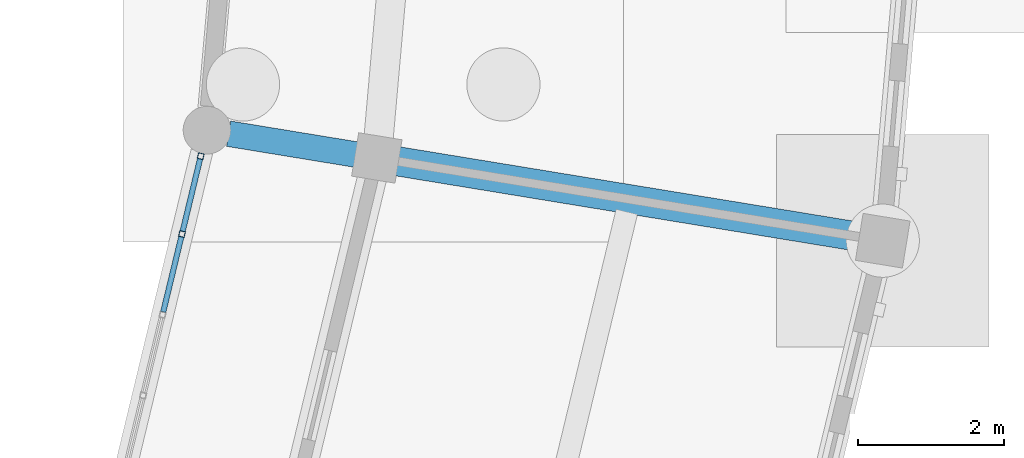
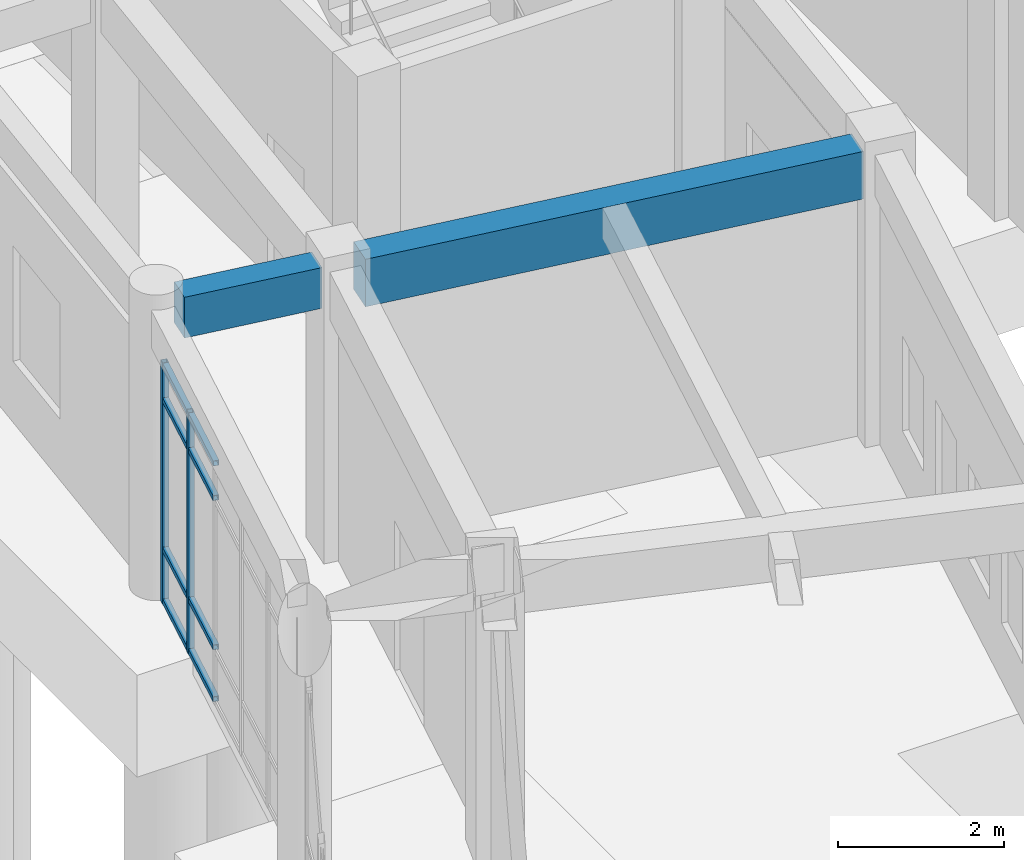
# One storey, part 87 of 153: 10 members, 2 beams, 1 element without a shape of its own.
"""IFC4 building model written with IfcOpenShell, lengths in metres."""

from ifc_helpers import new_model, si_unit, direction, frame, origin, origin_2d, place, context, subcontext, project, spatial, rectangle, hollow_rectangle, extrude, material, material_profile, profile_set, type_object, element, aggregate, save


model = new_model("IFC4")

# Units and contexts
model_context = context("Model", 3, precision=1e-05, world=origin(), true_north=direction((0.0, 1.0)))
body_context = subcontext(model_context, "Body", "Model", "MODEL_VIEW")
ifc_project = project(units=[si_unit("LENGTHUNIT", "METRE"), si_unit("AREAUNIT", "SQUARE_METRE"), si_unit("VOLUMEUNIT", "CUBIC_METRE"), si_unit("PLANEANGLEUNIT", "RADIAN"), si_unit("MASSUNIT", "GRAM", prefix="KILO")], contexts=[model_context])

# Site, building, storey
site_placement = place(None, origin())
site = spatial("IfcSite", under=ifc_project, at=site_placement, CompositionType="ELEMENT")
building_placement = place(site_placement, origin())
building = spatial("IfcBuilding", under=site, at=building_placement, Name="Celadon Cloister-Ring School", CompositionType="ELEMENT")
storey_placement = place(building_placement, origin())
storey = spatial("IfcBuildingStorey", under=building, at=storey_placement, Name="L00", CompositionType="ELEMENT", Elevation=0.0)

# Beam
ifc_material_1 = material(Name="Concrete C35/45", Category="concrete")
ifc_material_profile_1 = material_profile(ifc_material_1, rectangle(XDim=0.35009765625, YDim=0.60009765625, at=origin_2d()), Name="RC350X600")
ifc_profile_set_1 = profile_set([ifc_material_profile_1], Name="Concrete C35/45")
beam_type_1 = type_object("IfcBeamType", Name="BT-02", PredefinedType="BEAM", material=ifc_profile_set_1)
beam_1_placement = place(storey_placement, frame((131.138916015625, 51.781005859375, 3.97998046875), z_axis=(-0.986836301375, 0.161722337015, 0.0), x_axis=(-0.161722337015, -0.986836301375, 0.0)))
element("IfcBeam", 1, at=beam_1_placement, inside=storey, type_object=beam_type_1, Name="Beam 0053", PredefinedType="BEAM", context=body_context, shape_type="SweptSolid", body=[
    extrude(rectangle(XDim=0.35009765625, YDim=0.60009765625, at=origin_2d()), origin(), (0.0, 0.0, 1.0), 1.775390625),
])

# Curtain wall, members
ifc_material_2 = material(Name="Aluminium EN AW-6063 T6", Category="aluminium")
curtain_wall_type = type_object("IfcCurtainWallType", Name="CW-01", PredefinedType="USERDEFINED", material=ifc_material_2)
curtain_wall_placement = place(storey_placement, origin())
curtain_wall = element("IfcCurtainWall", 2, at=curtain_wall_placement, inside=storey, type_object=curtain_wall_type, Name="Curtain Wall 0016", ObjectType="CURTAIN WALL", PredefinedType="USERDEFINED")
ifc_material_3 = material(Name="Aluminium EN AW-6063 T6", Category="aluminium")
ifc_material_profile_2 = material_profile(ifc_material_3, hollow_rectangle(XDim=0.080078125, YDim=0.080078125, WallThickness=0.00390625, at=origin_2d()), Name="RHS80X80X4")
ifc_profile_set_2 = profile_set([ifc_material_profile_2], Name="Aluminium EN AW-6063 T6")
member_type_1 = type_object("IfcMemberType", Name="CM-03", PredefinedType="MULLION", material=ifc_profile_set_2)
member_1_placement = place(storey_placement, frame((128.74951171875, 50.69775390625, 0.0), z_axis=(0.0, 0.0, 1.0), x_axis=(-0.972212485146, 0.234100157469, 0.0)))
member_1 = element("IfcMember", 3, at=member_1_placement, type_object=member_type_1, Name="CW-01 mullion 5", PredefinedType="MULLION", context=body_context, shape_type="SweptSolid", body=[
    extrude(hollow_rectangle(XDim=0.080078125, YDim=0.080078125, WallThickness=0.00390625, at=origin_2d()), origin(), (0.0, 0.0, 1.0), 3.550048828125),
])
member_2_placement = place(storey_placement, frame((129.005615234375, 51.76123046875, 0.0), z_axis=(0.0, 0.0, 1.0), x_axis=(-0.972212485146, 0.234100157469, 0.0)))
member_2 = element("IfcMember", 4, at=member_2_placement, type_object=member_type_1, Name="CW-01 mullion 6", PredefinedType="MULLION", context=body_context, shape_type="SweptSolid", body=[
    extrude(hollow_rectangle(XDim=0.080078125, YDim=0.080078125, WallThickness=0.00390625, at=origin_2d()), origin(), (0.0, 0.0, 1.0), 3.550048828125),
])
ifc_material_4 = material(Name="Aluminium EN AW-6063 T6", Category="aluminium")
ifc_material_profile_3 = material_profile(ifc_material_4, hollow_rectangle(XDim=0.074951171875, YDim=0.074951171875, WallThickness=0.00390625, at=origin_2d()), Name="RHS75X75X4")
ifc_profile_set_3 = profile_set([ifc_material_profile_3], Name="Aluminium EN AW-6063 T6")
member_type_2 = type_object("IfcMemberType", Name="CTM-03", PredefinedType="USERDEFINED", material=ifc_profile_set_3)
member_3_placement = place(storey_placement, frame((128.49365234375, 49.634521484375, 0.03759765625), z_axis=(0.234021392325, 0.972231447719, 0.0), x_axis=(-0.972231447719, 0.234021392325, 0.0)))
member_3 = element("IfcMember", 5, at=member_3_placement, type_object=member_type_2, Name="CW-01 transom 4.1", ObjectType="TRANSOM", PredefinedType="USERDEFINED", context=body_context, shape_type="SweptSolid", body=[
    extrude(hollow_rectangle(XDim=0.074951171875, YDim=0.074951171875, WallThickness=0.00390625, at=origin_2d()), origin(), (0.0, 0.0, 1.0), 1.0537109375),
])
member_4_placement = place(storey_placement, frame((128.49365234375, 49.634521484375, 0.800048828125), z_axis=(0.234021392325, 0.972231447719, 0.0), x_axis=(-0.972231447719, 0.234021392325, 0.0)))
member_4 = element("IfcMember", 6, at=member_4_placement, type_object=member_type_2, Name="CW-01 transom 4.2", ObjectType="TRANSOM", PredefinedType="USERDEFINED", context=body_context, shape_type="SweptSolid", body=[
    extrude(hollow_rectangle(XDim=0.074951171875, YDim=0.074951171875, WallThickness=0.00390625, at=origin_2d()), origin(), (0.0, 0.0, 1.0), 1.0537109375),
])
member_5_placement = place(storey_placement, frame((128.49365234375, 49.634521484375, 3.0), z_axis=(0.234021392325, 0.972231447719, 0.0), x_axis=(-0.972231447719, 0.234021392325, 0.0)))
member_5 = element("IfcMember", 7, at=member_5_placement, type_object=member_type_2, Name="CW-01 transom 4.3", ObjectType="TRANSOM", PredefinedType="USERDEFINED", context=body_context, shape_type="SweptSolid", body=[
    extrude(hollow_rectangle(XDim=0.074951171875, YDim=0.074951171875, WallThickness=0.00390625, at=origin_2d()), origin(), (0.0, 0.0, 1.0), 1.0537109375),
])
member_6_placement = place(storey_placement, frame((128.49365234375, 49.634521484375, 3.512451171875), z_axis=(0.234021392325, 0.972231447719, 0.0), x_axis=(-0.972231447719, 0.234021392325, 0.0)))
member_6 = element("IfcMember", 8, at=member_6_placement, type_object=member_type_2, Name="CW-01 transom 4.4", ObjectType="TRANSOM", PredefinedType="USERDEFINED", context=body_context, shape_type="SweptSolid", body=[
    extrude(hollow_rectangle(XDim=0.074951171875, YDim=0.074951171875, WallThickness=0.00390625, at=origin_2d()), origin(), (0.0, 0.0, 1.0), 1.0537109375),
])
member_7_placement = place(storey_placement, frame((128.759033203125, 50.736572265625, 0.03759765625), z_axis=(0.234083346543, 0.972216532914, 0.0), x_axis=(-0.972216532914, 0.234083346543, 0.0)))
member_7 = element("IfcMember", 9, at=member_7_placement, type_object=member_type_2, Name="CW-01 transom 5.1", ObjectType="TRANSOM", PredefinedType="USERDEFINED", context=body_context, shape_type="SweptSolid", body=[
    extrude(hollow_rectangle(XDim=0.074951171875, YDim=0.074951171875, WallThickness=0.00390625, at=origin_2d()), origin(), (0.0, 0.0, 1.0), 1.013671875),
])
member_8_placement = place(storey_placement, frame((128.759033203125, 50.736572265625, 0.800048828125), z_axis=(0.234083346543, 0.972216532914, 0.0), x_axis=(-0.972216532914, 0.234083346543, 0.0)))
member_8 = element("IfcMember", 10, at=member_8_placement, type_object=member_type_2, Name="CW-01 transom 5.2", ObjectType="TRANSOM", PredefinedType="USERDEFINED", context=body_context, shape_type="SweptSolid", body=[
    extrude(hollow_rectangle(XDim=0.074951171875, YDim=0.074951171875, WallThickness=0.00390625, at=origin_2d()), origin(), (0.0, 0.0, 1.0), 1.013671875),
])
member_9_placement = place(storey_placement, frame((128.759033203125, 50.736572265625, 3.0), z_axis=(0.234083346543, 0.972216532914, 0.0), x_axis=(-0.972216532914, 0.234083346543, 0.0)))
member_9 = element("IfcMember", 11, at=member_9_placement, type_object=member_type_2, Name="CW-01 transom 5.3", ObjectType="TRANSOM", PredefinedType="USERDEFINED", context=body_context, shape_type="SweptSolid", body=[
    extrude(hollow_rectangle(XDim=0.074951171875, YDim=0.074951171875, WallThickness=0.00390625, at=origin_2d()), origin(), (0.0, 0.0, 1.0), 1.013671875),
])
member_10_placement = place(storey_placement, frame((128.759033203125, 50.736572265625, 3.512451171875), z_axis=(0.234083346543, 0.972216532914, 0.0), x_axis=(-0.972216532914, 0.234083346543, 0.0)))
member_10 = element("IfcMember", 12, at=member_10_placement, type_object=member_type_2, Name="CW-01 transom 5.4", ObjectType="TRANSOM", PredefinedType="USERDEFINED", context=body_context, shape_type="SweptSolid", body=[
    extrude(hollow_rectangle(XDim=0.074951171875, YDim=0.074951171875, WallThickness=0.00390625, at=origin_2d()), origin(), (0.0, 0.0, 1.0), 1.013671875),
])
aggregate(curtain_wall, [member_1, member_2, member_3, member_4, member_5, member_6, member_7, member_8, member_9, member_10])

# Beam
ifc_material_5 = material(Name="Concrete C35/45", Category="concrete")
ifc_material_profile_4 = material_profile(ifc_material_5, rectangle(XDim=0.39990234375, YDim=0.699951171875, at=origin_2d()), Name="RC400X700")
ifc_profile_set_4 = profile_set([ifc_material_profile_4], Name="Concrete C35/45")
beam_type_2 = type_object("IfcBeamType", Name="GT-03", PredefinedType="USERDEFINED", material=ifc_profile_set_4)
beam_2_placement = place(storey_placement, frame((138.02197265625, 50.655029296875, 3.929931640625), z_axis=(-0.986863240462, 0.161557867726, 0.0), x_axis=(-0.161557867726, -0.986863240462, 0.0)))
element("IfcBeam", 13, at=beam_2_placement, inside=storey, type_object=beam_type_2, Name="Beam 0052", ObjectType="GIRDER", PredefinedType="USERDEFINED", context=body_context, shape_type="SweptSolid", body=[
    extrude(rectangle(XDim=0.39990234375, YDim=0.699951171875, at=origin_2d()), origin(), (0.0, 0.0, 1.0), 6.425537109375),
])

save(model, "model.ifc")
